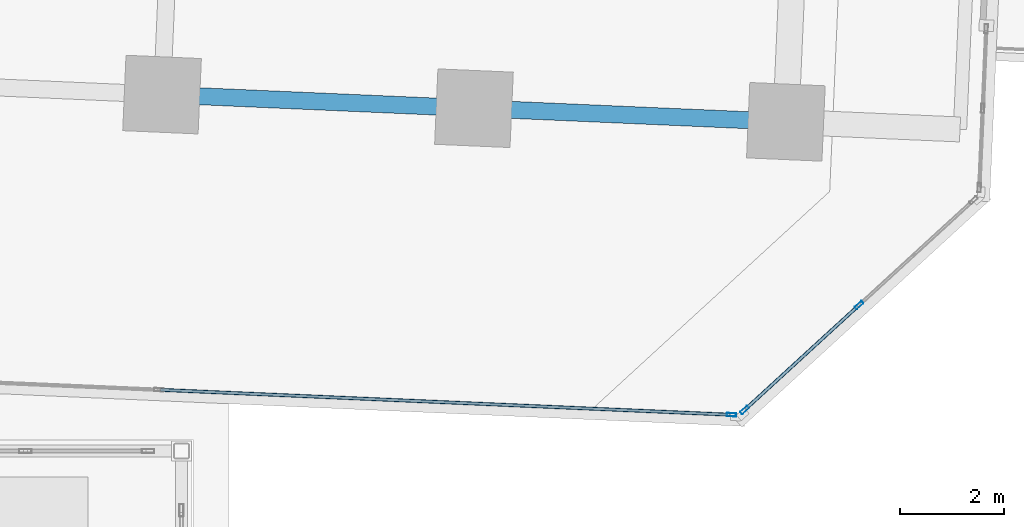
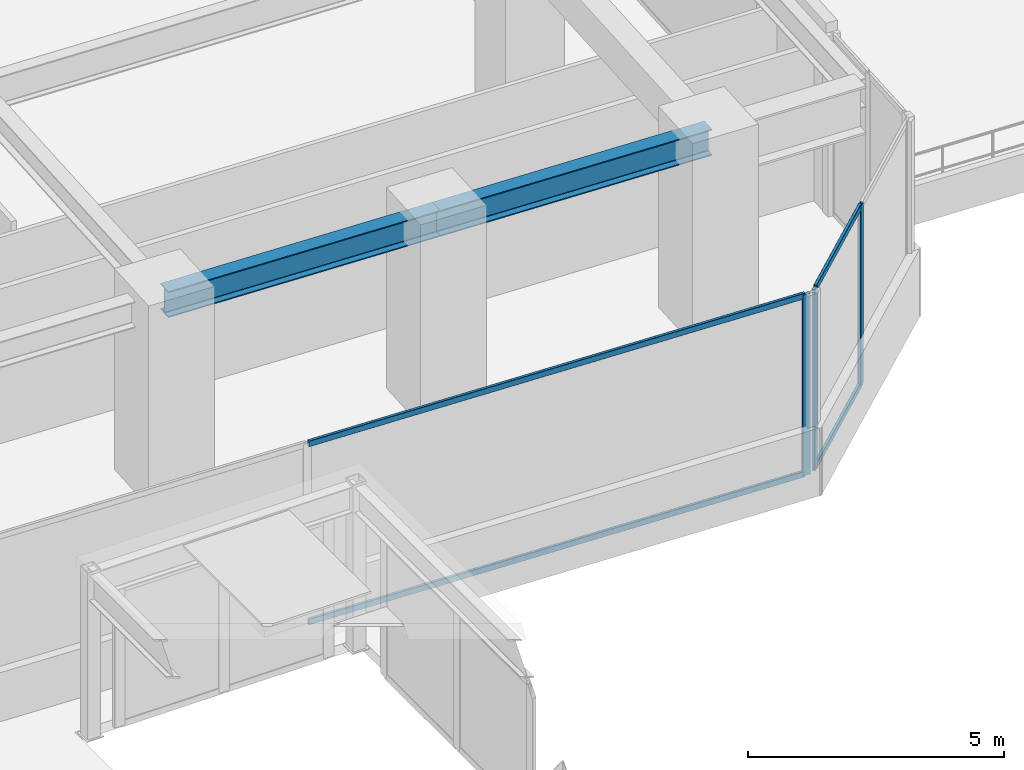
# One storey, part 12 of 33: 7 members, 2 beams, 2 elements without a shape of their own.
"""IFC4 building model written with IfcOpenShell, lengths in metres."""

from ifc_helpers import new_model, si_unit, direction, frame, origin, origin_2d, place, context, subcontext, project, spatial, hollow_rectangle, i_section, extrude, source, transform, mapped, material, material_profile, profile_set, type_object, element, aggregate, save


model = new_model("IFC4")

# Units and contexts
model_context = context("Model", 3, precision=1e-05, world=origin(), true_north=direction((0.0, 1.0)))
body_context = subcontext(model_context, "Body", "Model", "MODEL_VIEW")
ifc_project = project(units=[si_unit("LENGTHUNIT", "METRE"), si_unit("AREAUNIT", "SQUARE_METRE"), si_unit("VOLUMEUNIT", "CUBIC_METRE"), si_unit("PLANEANGLEUNIT", "RADIAN"), si_unit("MASSUNIT", "GRAM", prefix="KILO")], contexts=[model_context])

# Site, building, storey
site_placement = place(None, origin())
site = spatial("IfcSite", under=ifc_project, at=site_placement, CompositionType="ELEMENT")
building_placement = place(site_placement, origin())
building = spatial("IfcBuilding", under=site, at=building_placement, Name="Torre Montelarca", CompositionType="ELEMENT")
storey_placement = place(building_placement, frame((0.0, 0.0, 32.800048828125)))
storey = spatial("IfcBuildingStorey", under=building, at=storey_placement, Name="L07", CompositionType="ELEMENT", Elevation=32.800048828125)

# Beams
ifc_material_1 = material(Name="Steel ASTM A992 Grade 50", Category="steel")
ifc_material_profile_1 = material_profile(ifc_material_1, i_section(OverallWidth=0.326904296875, OverallDepth=0.6220703125, WebThickness=0.015380859375, FlangeThickness=0.0244140625, FilletRadius=0.014892578125, at=origin_2d()), Name="W610X195", Category="steel")
ifc_profile_set_1 = profile_set([ifc_material_profile_1], Name="Steel ASTM A992 Grade 50")
beam_type = type_object("IfcBeamType", Name="BM-G-W610H", PredefinedType="BEAM", material=ifc_profile_set_1)
shared_shape_1 = source(origin(), body_context, "Body", "SweptSolid", [
    extrude(i_section(OverallWidth=0.326904296875, OverallDepth=0.6220703125, WebThickness=0.015380859375, FlangeThickness=0.0244140625, FilletRadius=0.014892578125, at=origin_2d()), origin(), (0.0, 0.0, 1.0), 6.0),
])
for number, where, z_axis, x_axis, name in (
    (1, (47.625732421875, 22.851806640625, 4.2490234375), (0.999048234227, -0.043619097751, 0.0), (0.043619097751, 0.999048234227, 0.0), "L07 Grid Girder X 48.0-54.0 at Y=24.0"),
    (2, (53.6201171875, 22.590087890625, 4.2490234375), (0.999048234227, -0.043619097751, 0.0), (0.043619097751, 0.999048234227, 0.0), "L07 Grid Girder X 54.0-60.0 at Y=24.0"),
):
    element("IfcBeam", number, at=place(storey_placement, frame(where, z_axis=z_axis, x_axis=x_axis)), inside=storey, type_object=beam_type, Name=name, PredefinedType="BEAM", context=body_context, shape_type="MappedRepresentation", body=[
        mapped(shared_shape_1, transform((0.0, 0.0, 0.0), scale=1.0)),
    ])

# Curtain wall, member
ifc_material_2 = material(Name="Insulated low-E laminated glass", Category="glass")
curtain_wall_type = type_object("IfcCurtainWallType", Name="CW-SYS-Z1", PredefinedType="USERDEFINED", material=ifc_material_2)
curtain_wall_1_placement = place(storey_placement, origin())
curtain_wall_1 = element("IfcCurtainWall", 3, at=curtain_wall_1_placement, inside=storey, type_object=curtain_wall_type, Name="L07 Curtain Wall Run CW-T3-L07-E04-B1", ObjectType="UNITISED GLAZING", PredefinedType="USERDEFINED")
ifc_material_3 = material(Name="Anodised aluminium AA 6063-T6", Category="aluminium")
ifc_material_profile_2 = material_profile(ifc_material_3, hollow_rectangle(XDim=0.06494140625, YDim=0.179931640625, WallThickness=0.00390625, InnerFilletRadius=0.00390625, OuterFilletRadius=0.008056640625, at=origin_2d()), Name="ALU65X180X4", Category="aluminium")
ifc_profile_set_2 = profile_set([ifc_material_profile_2], Name="Anodised aluminium AA 6063-T6")
member_type_1 = type_object("IfcMemberType", Name="CWM-ALU180", PredefinedType="MULLION", material=ifc_profile_set_2)
shared_shape_2 = source(origin(), body_context, "Body", "SweptSolid", [
    extrude(hollow_rectangle(XDim=0.06494140625, YDim=0.179931640625, WallThickness=0.00390625, InnerFilletRadius=0.00390625, OuterFilletRadius=0.008056640625, at=origin_2d()), origin(), (0.0, 0.0, 1.0), 4.320068359375),
])
member_1_placement = place(storey_placement, frame((58.569580078125, 16.698486328125, 0.0), z_axis=(0.0, 0.0, 1.0), x_axis=(0.043617352644, 0.999048310418, 0.0)))
member_1 = element("IfcMember", 4, at=member_1_placement, type_object=member_type_1, Name="CW mullion 3", PredefinedType="MULLION", context=body_context, shape_type="MappedRepresentation", body=[
    mapped(shared_shape_2, transform((0.0, 0.0, 0.0), scale=1.0)),
])

# Curtain wall, members
curtain_wall_2_placement = place(storey_placement, origin())
curtain_wall_2 = element("IfcCurtainWall", 5, at=curtain_wall_2_placement, inside=storey, type_object=curtain_wall_type, Name="L07 Curtain Wall Run CW-T3-L07-E05-B1", ObjectType="UNITISED GLAZING", PredefinedType="USERDEFINED")
member_2_placement = place(storey_placement, frame((58.8203125, 16.789794921875, 0.0), z_axis=(0.0, 0.0, 1.0), x_axis=(-0.675574480513, 0.737291747736, 0.0)))
member_2 = element("IfcMember", 6, at=member_2_placement, type_object=member_type_1, Name="CW mullion 1", PredefinedType="MULLION", context=body_context, shape_type="MappedRepresentation", body=[
    mapped(shared_shape_2, transform((0.0, 0.0, 0.0), scale=1.0)),
])
member_3_placement = place(storey_placement, frame((61.020263671875, 18.8056640625, 0.0), z_axis=(0.0, 0.0, 1.0), x_axis=(-0.675574480513, 0.737291747736, 0.0)))
member_3 = element("IfcMember", 7, at=member_3_placement, type_object=member_type_1, Name="CW mullion 2", PredefinedType="MULLION", context=body_context, shape_type="MappedRepresentation", body=[
    mapped(shared_shape_2, transform((0.0, 0.0, 0.0), scale=1.0)),
])

# Member
ifc_material_profile_3 = material_profile(ifc_material_3, hollow_rectangle(XDim=0.06494140625, YDim=0.139892578125, WallThickness=0.00390625, InnerFilletRadius=0.00390625, OuterFilletRadius=0.008056640625, at=origin_2d()), Name="ALU65X140X4", Category="aluminium")
ifc_profile_set_3 = profile_set([ifc_material_profile_3], Name="Anodised aluminium AA 6063-T6")
member_type_2 = type_object("IfcMemberType", Name="CWT-ALU140", PredefinedType="USERDEFINED", material=ifc_profile_set_3)
shared_shape_3 = source(origin(), body_context, "Body", "SweptSolid", [
    extrude(hollow_rectangle(XDim=0.06494140625, YDim=0.139892578125, WallThickness=0.00390625, InnerFilletRadius=0.00390625, OuterFilletRadius=0.008056640625, at=origin_2d()), origin(), (0.0, 0.0, 1.0), 10.94873046875),
])
member_4_placement = place(storey_placement, frame((47.598876953125, 17.177490234375, 0.032470703125), z_axis=(0.99904835881, -0.043616244221, 0.0), x_axis=(0.043616244221, 0.99904835881, 0.0)))
member_4 = element("IfcMember", 8, at=member_4_placement, type_object=member_type_2, Name="CW transom 2.1", ObjectType="TRANSOM", PredefinedType="USERDEFINED", context=body_context, shape_type="MappedRepresentation", body=[
    mapped(shared_shape_3, transform((0.0, 0.0, 0.0), scale=1.0)),
])

member_5_placement = place(storey_placement, frame((47.598876953125, 17.177490234375, 4.287353515625), z_axis=(0.99904835881, -0.043616244221, 0.0), x_axis=(0.043616244221, 0.99904835881, 0.0)))
member_5 = element("IfcMember", 9, at=member_5_placement, type_object=member_type_2, Name="CW transom 2.2", ObjectType="TRANSOM", PredefinedType="USERDEFINED", context=body_context, shape_type="MappedRepresentation", body=[
    mapped(shared_shape_3, transform((0.0, 0.0, 0.0), scale=1.0)),
])

aggregate(curtain_wall_1, [member_1, member_4, member_5])

shared_shape_4 = source(origin(), body_context, "Body", "SweptSolid", [
    extrude(hollow_rectangle(XDim=0.06494140625, YDim=0.139892578125, WallThickness=0.00390625, InnerFilletRadius=0.00390625, OuterFilletRadius=0.008056640625, at=origin_2d()), origin(), (0.0, 0.0, 1.0), 2.9189453125),
])
member_6_placement = place(storey_placement, frame((58.84423828125, 16.811767578125, 0.032470703125), z_axis=(0.737296471561, 0.675569325105, 0.0), x_axis=(-0.675569325105, 0.737296471561, 0.0)))
member_6 = element("IfcMember", 10, at=member_6_placement, type_object=member_type_2, Name="CW transom 1.1", ObjectType="TRANSOM", PredefinedType="USERDEFINED", context=body_context, shape_type="MappedRepresentation", body=[
    mapped(shared_shape_4, transform((0.0, 0.0, 0.0), scale=1.0)),
])

member_7_placement = place(storey_placement, frame((58.84423828125, 16.811767578125, 4.287353515625), z_axis=(0.737296471561, 0.675569325105, 0.0), x_axis=(-0.675569325105, 0.737296471561, 0.0)))
member_7 = element("IfcMember", 11, at=member_7_placement, type_object=member_type_2, Name="CW transom 1.2", ObjectType="TRANSOM", PredefinedType="USERDEFINED", context=body_context, shape_type="MappedRepresentation", body=[
    mapped(shared_shape_4, transform((0.0, 0.0, 0.0), scale=1.0)),
])

aggregate(curtain_wall_2, [member_2, member_3, member_6, member_7])

save(model, "model.ifc")
